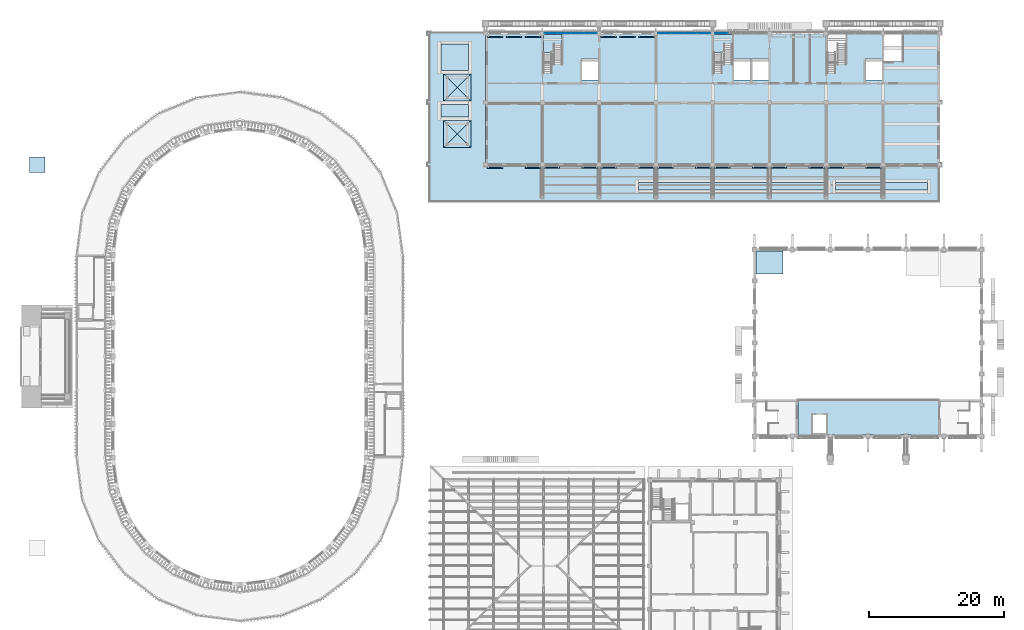
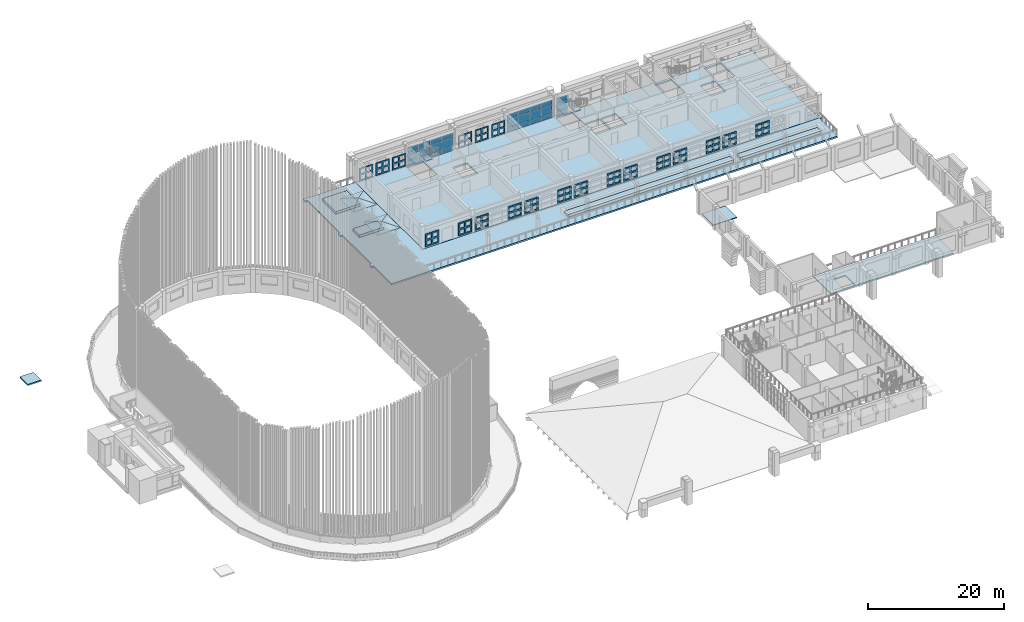
# One storey, part 19 of 68: 47 plates, 19 slabs, 5 elements without a shape of their own.
"""IFC4 building model written with IfcOpenShell, lengths in metres."""

from ifc_helpers import new_model, si_unit, direction, frame, origin, origin_2d, place, context, subcontext, project, spatial, polyline, rectangle, outline, extrude, material, layer, layer_set, material_profile, profile_set, type_object, element, aggregate, save


model = new_model("IFC4")

# Units and contexts
model_context = context("Model", 3, precision=1e-05, world=origin(), true_north=direction((0.0, 1.0)))
body_context = subcontext(model_context, "Body", "Model", "MODEL_VIEW")
ifc_project = project(units=[si_unit("LENGTHUNIT", "METRE"), si_unit("AREAUNIT", "SQUARE_METRE"), si_unit("VOLUMEUNIT", "CUBIC_METRE"), si_unit("PLANEANGLEUNIT", "RADIAN"), si_unit("MASSUNIT", "GRAM", prefix="KILO")], contexts=[model_context])

# Site, building, storey
site_placement = place(None, origin())
site = spatial("IfcSite", under=ifc_project, at=site_placement, CompositionType="ELEMENT")
building_placement = place(site_placement, origin())
building = spatial("IfcBuilding", under=site, at=building_placement, Name="Wasatch Bagh Community Centre", CompositionType="ELEMENT")
storey_placement = place(building_placement, frame((0.0, 0.0, 8.39990234375)))
storey = spatial("IfcBuildingStorey", under=building, at=storey_placement, Name="L02", CompositionType="ELEMENT", Elevation=8.39990234375)

# Slab
ifc_material_1 = material(Name="Concrete C35", Category="concrete")
ifc_layer_1 = layer(ifc_material_1, 0.25)
ifc_layer_set_1 = layer_set([ifc_layer_1], Name="Concrete C35")
slab_type_1 = type_object("IfcSlabType", Name="CT-S2", PredefinedType="ROOF", material=ifc_layer_set_1)
slab_1_placement = place(storey_placement, frame((0.0, 0.0, -0.25)))
element("IfcSlab", 1, at=slab_1_placement, inside=storey, type_object=slab_type_1, Name="LC2 shaft roof", PredefinedType="ROOF", context=body_context, shape_type="SweptSolid", body=[
    extrude(outline(polyline([(4.89990234375, 77.199951171875), (7.199951171875, 77.199951171875), (7.199951171875, 79.5), (4.89990234375, 79.5), (4.89990234375, 77.199951171875)])), origin(), (0.0, 0.0, 1.0), 0.25),
])

# Curtain wall, plates
ifc_material_2 = material(Name="Aluminium curtain wall frame with low-iron glass", Category="aluminium")
ifc_layer_2 = layer(ifc_material_2, 0.10009765625)
ifc_layer_set_2 = layer_set([ifc_layer_2], Name="Aluminium curtain wall frame with low-iron glass")
curtain_wall_type_1 = type_object("IfcCurtainWallType", Name="LW curtain wall 100", PredefinedType="NOTDEFINED", material=ifc_layer_set_2)
curtain_wall_1_placement = place(storey_placement, origin())
curtain_wall_1 = element("IfcCurtainWall", 2, at=curtain_wall_1_placement, inside=storey, type_object=curtain_wall_type_1, Name="Curtain wall 02.01", PredefinedType="NOTDEFINED")
ifc_material_3 = material(Name="Low-iron insulated glass", Category="glass")
ifc_layer_3 = layer(ifc_material_3, 0.028076171875)
ifc_layer_set_3 = layer_set([ifc_layer_3], Name="Low-iron insulated glass")
plate_type_1 = type_object("IfcPlateType", Name="LW curtain wall panel 28", PredefinedType="CURTAIN_PANEL", material=ifc_layer_set_3)
plate_1_placement = place(storey_placement, frame((82.090087890625, 97.800048828125, 0.06005859375), z_axis=(0.0, 0.0, 1.0), x_axis=(1.0, 0.0, 0.0)))
plate_1 = element("IfcPlate", 3, at=plate_1_placement, type_object=plate_type_1, Name="LW-CW1 panel 1.1", PredefinedType="CURTAIN_PANEL", context=body_context, shape_type="SweptSolid", body=[
    extrude(rectangle(XDim=1.860107421875, YDim=0.028076171875, at=origin_2d()), origin(), (0.0, 0.0, 1.0), 0.81005859375),
])
plate_2_placement = place(storey_placement, frame((82.090087890625, 97.800048828125, 0.93017578125), z_axis=(0.0, 0.0, 1.0), x_axis=(1.0, 0.0, 0.0)))
plate_2 = element("IfcPlate", 4, at=plate_2_placement, type_object=plate_type_1, Name="LW-CW1 panel 1.2", PredefinedType="CURTAIN_PANEL", context=body_context, shape_type="SweptSolid", body=[
    extrude(rectangle(XDim=1.860107421875, YDim=0.028076171875, at=origin_2d()), origin(), (0.0, 0.0, 1.0), 1.43994140625),
])
plate_3_placement = place(storey_placement, frame((82.090087890625, 97.800048828125, 2.43017578125), z_axis=(0.0, 0.0, 1.0), x_axis=(1.0, 0.0, 0.0)))
plate_3 = element("IfcPlate", 5, at=plate_3_placement, type_object=plate_type_1, Name="LW-CW1 panel 1.3", PredefinedType="CURTAIN_PANEL", context=body_context, shape_type="SweptSolid", body=[
    extrude(rectangle(XDim=1.860107421875, YDim=0.028076171875, at=origin_2d()), origin(), (0.0, 0.0, 1.0), 0.830078125),
])
plate_4_placement = place(storey_placement, frame((84.02490234375, 97.800048828125, 0.06005859375), z_axis=(0.0, 0.0, 1.0), x_axis=(1.0, 0.0, 0.0)))
plate_4 = element("IfcPlate", 6, at=plate_4_placement, type_object=plate_type_1, Name="LW-CW1 panel 2.1", PredefinedType="CURTAIN_PANEL", context=body_context, shape_type="SweptSolid", body=[
    extrude(rectangle(XDim=1.889892578125, YDim=0.028076171875, at=origin_2d()), origin(), (0.0, 0.0, 1.0), 0.81005859375),
])
plate_5_placement = place(storey_placement, frame((84.02490234375, 97.800048828125, 0.93017578125), z_axis=(0.0, 0.0, 1.0), x_axis=(1.0, 0.0, 0.0)))
plate_5 = element("IfcPlate", 7, at=plate_5_placement, type_object=plate_type_1, Name="LW-CW1 panel 2.2", PredefinedType="CURTAIN_PANEL", context=body_context, shape_type="SweptSolid", body=[
    extrude(rectangle(XDim=1.889892578125, YDim=0.028076171875, at=origin_2d()), origin(), (0.0, 0.0, 1.0), 1.43994140625),
])
plate_6_placement = place(storey_placement, frame((84.02490234375, 97.800048828125, 2.43017578125), z_axis=(0.0, 0.0, 1.0), x_axis=(1.0, 0.0, 0.0)))
plate_6 = element("IfcPlate", 8, at=plate_6_placement, type_object=plate_type_1, Name="LW-CW1 panel 2.3", PredefinedType="CURTAIN_PANEL", context=body_context, shape_type="SweptSolid", body=[
    extrude(rectangle(XDim=1.889892578125, YDim=0.028076171875, at=origin_2d()), origin(), (0.0, 0.0, 1.0), 0.830078125),
])
plate_7_placement = place(storey_placement, frame((85.97509765625, 97.800048828125, 0.06005859375), z_axis=(0.0, 0.0, 1.0), x_axis=(1.0, 0.0, 0.0)))
plate_7 = element("IfcPlate", 9, at=plate_7_placement, type_object=plate_type_1, Name="LW-CW1 panel 3.1", PredefinedType="CURTAIN_PANEL", context=body_context, shape_type="SweptSolid", body=[
    extrude(rectangle(XDim=1.889892578125, YDim=0.028076171875, at=origin_2d()), origin(), (0.0, 0.0, 1.0), 0.81005859375),
])
plate_8_placement = place(storey_placement, frame((85.97509765625, 97.800048828125, 0.93017578125), z_axis=(0.0, 0.0, 1.0), x_axis=(1.0, 0.0, 0.0)))
plate_8 = element("IfcPlate", 10, at=plate_8_placement, type_object=plate_type_1, Name="LW-CW1 panel 3.2", PredefinedType="CURTAIN_PANEL", context=body_context, shape_type="SweptSolid", body=[
    extrude(rectangle(XDim=1.889892578125, YDim=0.028076171875, at=origin_2d()), origin(), (0.0, 0.0, 1.0), 1.43994140625),
])
plate_9_placement = place(storey_placement, frame((85.97509765625, 97.800048828125, 2.43017578125), z_axis=(0.0, 0.0, 1.0), x_axis=(1.0, 0.0, 0.0)))
plate_9 = element("IfcPlate", 11, at=plate_9_placement, type_object=plate_type_1, Name="LW-CW1 panel 3.3", PredefinedType="CURTAIN_PANEL", context=body_context, shape_type="SweptSolid", body=[
    extrude(rectangle(XDim=1.889892578125, YDim=0.028076171875, at=origin_2d()), origin(), (0.0, 0.0, 1.0), 0.830078125),
])
plate_10_placement = place(storey_placement, frame((87.909912109375, 97.800048828125, 0.06005859375), z_axis=(0.0, 0.0, 1.0), x_axis=(1.0, 0.0, 0.0)))
plate_10 = element("IfcPlate", 12, at=plate_10_placement, type_object=plate_type_1, Name="LW-CW1 panel 4.1", PredefinedType="CURTAIN_PANEL", context=body_context, shape_type="SweptSolid", body=[
    extrude(rectangle(XDim=1.860107421875, YDim=0.028076171875, at=origin_2d()), origin(), (0.0, 0.0, 1.0), 0.81005859375),
])
plate_11_placement = place(storey_placement, frame((87.909912109375, 97.800048828125, 0.93017578125), z_axis=(0.0, 0.0, 1.0), x_axis=(1.0, 0.0, 0.0)))
plate_11 = element("IfcPlate", 13, at=plate_11_placement, type_object=plate_type_1, Name="LW-CW1 panel 4.2", PredefinedType="CURTAIN_PANEL", context=body_context, shape_type="SweptSolid", body=[
    extrude(rectangle(XDim=1.860107421875, YDim=0.028076171875, at=origin_2d()), origin(), (0.0, 0.0, 1.0), 1.43994140625),
])
plate_12_placement = place(storey_placement, frame((87.909912109375, 97.800048828125, 2.43017578125), z_axis=(0.0, 0.0, 1.0), x_axis=(1.0, 0.0, 0.0)))
plate_12 = element("IfcPlate", 14, at=plate_12_placement, type_object=plate_type_1, Name="LW-CW1 panel 4.3", PredefinedType="CURTAIN_PANEL", context=body_context, shape_type="SweptSolid", body=[
    extrude(rectangle(XDim=1.860107421875, YDim=0.028076171875, at=origin_2d()), origin(), (0.0, 0.0, 1.0), 0.830078125),
])
aggregate(curtain_wall_1, [plate_1, plate_2, plate_3, plate_4, plate_5, plate_6, plate_7, plate_8, plate_9, plate_10, plate_11, plate_12])

curtain_wall_2_placement = place(storey_placement, origin())
curtain_wall_2 = element("IfcCurtainWall", 15, at=curtain_wall_2_placement, inside=storey, type_object=curtain_wall_type_1, Name="Curtain wall 02.03", PredefinedType="NOTDEFINED")
plate_13_placement = place(storey_placement, frame((107.2900390625, 97.800048828125, 0.06005859375), z_axis=(0.0, 0.0, 1.0), x_axis=(1.0, 0.0, 0.0)))
plate_13 = element("IfcPlate", 16, at=plate_13_placement, type_object=plate_type_1, Name="LW-CW1 panel 1.1", PredefinedType="CURTAIN_PANEL", context=body_context, shape_type="SweptSolid", body=[
    extrude(rectangle(XDim=1.860107421875, YDim=0.028076171875, at=origin_2d()), origin(), (0.0, 0.0, 1.0), 0.81005859375),
])
plate_14_placement = place(storey_placement, frame((107.2900390625, 97.800048828125, 0.93017578125), z_axis=(0.0, 0.0, 1.0), x_axis=(1.0, 0.0, 0.0)))
plate_14 = element("IfcPlate", 17, at=plate_14_placement, type_object=plate_type_1, Name="LW-CW1 panel 1.2", PredefinedType="CURTAIN_PANEL", context=body_context, shape_type="SweptSolid", body=[
    extrude(rectangle(XDim=1.860107421875, YDim=0.028076171875, at=origin_2d()), origin(), (0.0, 0.0, 1.0), 1.43994140625),
])
plate_15_placement = place(storey_placement, frame((107.2900390625, 97.800048828125, 2.43017578125), z_axis=(0.0, 0.0, 1.0), x_axis=(1.0, 0.0, 0.0)))
plate_15 = element("IfcPlate", 18, at=plate_15_placement, type_object=plate_type_1, Name="LW-CW1 panel 1.3", PredefinedType="CURTAIN_PANEL", context=body_context, shape_type="SweptSolid", body=[
    extrude(rectangle(XDim=1.860107421875, YDim=0.028076171875, at=origin_2d()), origin(), (0.0, 0.0, 1.0), 0.830078125),
])
aggregate(curtain_wall_2, [plate_13, plate_14, plate_15])

ifc_layer_4 = layer(ifc_material_2, 0.1201171875)
ifc_layer_set_4 = layer_set([ifc_layer_4], Name="Aluminium curtain wall frame with low-iron glass")
curtain_wall_type_2 = type_object("IfcCurtainWallType", Name="LW study front curtain wall 120", PredefinedType="NOTDEFINED", material=ifc_layer_set_4)
curtain_wall_3_placement = place(storey_placement, origin())
curtain_wall_3 = element("IfcCurtainWall", 19, at=curtain_wall_3_placement, inside=storey, type_object=curtain_wall_type_2, Name="Curtain wall 02.02", PredefinedType="NOTDEFINED")
ifc_layer_5 = layer(ifc_material_3, 0.028076171875)
ifc_layer_set_5 = layer_set([ifc_layer_5], Name="Low-iron insulated glass")
plate_type_2 = type_object("IfcPlateType", Name="LW curtain wall panel 28 LW-CW2", PredefinedType="CURTAIN_PANEL", material=ifc_layer_set_5)
plate_16_placement = place(storey_placement, frame((98.889892578125, 97.800048828125, 0.06005859375), z_axis=(0.0, 0.0, 1.0), x_axis=(1.0, 0.0, 0.0)))
plate_16 = element("IfcPlate", 20, at=plate_16_placement, type_object=plate_type_2, Name="LW-CW2 panel 1.1", PredefinedType="CURTAIN_PANEL", context=body_context, shape_type="SweptSolid", body=[
    extrude(rectangle(XDim=1.860107421875, YDim=0.028076171875, at=origin_2d()), origin(), (0.0, 0.0, 1.0), 0.81005859375),
])
plate_17_placement = place(storey_placement, frame((98.889892578125, 97.800048828125, 0.93017578125), z_axis=(0.0, 0.0, 1.0), x_axis=(1.0, 0.0, 0.0)))
plate_17 = element("IfcPlate", 21, at=plate_17_placement, type_object=plate_type_2, Name="LW-CW2 panel 1.2", PredefinedType="CURTAIN_PANEL", context=body_context, shape_type="SweptSolid", body=[
    extrude(rectangle(XDim=1.860107421875, YDim=0.028076171875, at=origin_2d()), origin(), (0.0, 0.0, 1.0), 1.43994140625),
])
plate_18_placement = place(storey_placement, frame((98.889892578125, 97.800048828125, 2.43017578125), z_axis=(0.0, 0.0, 1.0), x_axis=(1.0, 0.0, 0.0)))
plate_18 = element("IfcPlate", 22, at=plate_18_placement, type_object=plate_type_2, Name="LW-CW2 panel 1.3", PredefinedType="CURTAIN_PANEL", context=body_context, shape_type="SweptSolid", body=[
    extrude(rectangle(XDim=1.860107421875, YDim=0.028076171875, at=origin_2d()), origin(), (0.0, 0.0, 1.0), 0.830078125),
])
plate_19_placement = place(storey_placement, frame((100.824951171875, 97.800048828125, 0.06005859375), z_axis=(0.0, 0.0, 1.0), x_axis=(1.0, 0.0, 0.0)))
plate_19 = element("IfcPlate", 23, at=plate_19_placement, type_object=plate_type_2, Name="LW-CW2 panel 2.1", PredefinedType="CURTAIN_PANEL", context=body_context, shape_type="SweptSolid", body=[
    extrude(rectangle(XDim=1.889892578125, YDim=0.028076171875, at=origin_2d()), origin(), (0.0, 0.0, 1.0), 0.81005859375),
])
plate_20_placement = place(storey_placement, frame((100.824951171875, 97.800048828125, 0.93017578125), z_axis=(0.0, 0.0, 1.0), x_axis=(1.0, 0.0, 0.0)))
plate_20 = element("IfcPlate", 24, at=plate_20_placement, type_object=plate_type_2, Name="LW-CW2 panel 2.2", PredefinedType="CURTAIN_PANEL", context=body_context, shape_type="SweptSolid", body=[
    extrude(rectangle(XDim=1.889892578125, YDim=0.028076171875, at=origin_2d()), origin(), (0.0, 0.0, 1.0), 1.43994140625),
])
plate_21_placement = place(storey_placement, frame((100.824951171875, 97.800048828125, 2.43017578125), z_axis=(0.0, 0.0, 1.0), x_axis=(1.0, 0.0, 0.0)))
plate_21 = element("IfcPlate", 25, at=plate_21_placement, type_object=plate_type_2, Name="LW-CW2 panel 2.3", PredefinedType="CURTAIN_PANEL", context=body_context, shape_type="SweptSolid", body=[
    extrude(rectangle(XDim=1.889892578125, YDim=0.028076171875, at=origin_2d()), origin(), (0.0, 0.0, 1.0), 0.830078125),
])
plate_22_placement = place(storey_placement, frame((102.77490234375, 97.800048828125, 0.06005859375), z_axis=(0.0, 0.0, 1.0), x_axis=(1.0, 0.0, 0.0)))
plate_22 = element("IfcPlate", 26, at=plate_22_placement, type_object=plate_type_2, Name="LW-CW2 panel 3.1", PredefinedType="CURTAIN_PANEL", context=body_context, shape_type="SweptSolid", body=[
    extrude(rectangle(XDim=1.889892578125, YDim=0.028076171875, at=origin_2d()), origin(), (0.0, 0.0, 1.0), 0.81005859375),
])
plate_23_placement = place(storey_placement, frame((102.77490234375, 97.800048828125, 0.93017578125), z_axis=(0.0, 0.0, 1.0), x_axis=(1.0, 0.0, 0.0)))
plate_23 = element("IfcPlate", 27, at=plate_23_placement, type_object=plate_type_2, Name="LW-CW2 panel 3.2", PredefinedType="CURTAIN_PANEL", context=body_context, shape_type="SweptSolid", body=[
    extrude(rectangle(XDim=1.889892578125, YDim=0.028076171875, at=origin_2d()), origin(), (0.0, 0.0, 1.0), 1.43994140625),
])
plate_24_placement = place(storey_placement, frame((102.77490234375, 97.800048828125, 2.43017578125), z_axis=(0.0, 0.0, 1.0), x_axis=(1.0, 0.0, 0.0)))
plate_24 = element("IfcPlate", 28, at=plate_24_placement, type_object=plate_type_2, Name="LW-CW2 panel 3.3", PredefinedType="CURTAIN_PANEL", context=body_context, shape_type="SweptSolid", body=[
    extrude(rectangle(XDim=1.889892578125, YDim=0.028076171875, at=origin_2d()), origin(), (0.0, 0.0, 1.0), 0.830078125),
])
plate_25_placement = place(storey_placement, frame((104.7099609375, 97.800048828125, 0.06005859375), z_axis=(0.0, 0.0, 1.0), x_axis=(1.0, 0.0, 0.0)))
plate_25 = element("IfcPlate", 29, at=plate_25_placement, type_object=plate_type_2, Name="LW-CW2 panel 4.1", PredefinedType="CURTAIN_PANEL", context=body_context, shape_type="SweptSolid", body=[
    extrude(rectangle(XDim=1.860107421875, YDim=0.028076171875, at=origin_2d()), origin(), (0.0, 0.0, 1.0), 0.81005859375),
])
plate_26_placement = place(storey_placement, frame((104.7099609375, 97.800048828125, 0.93017578125), z_axis=(0.0, 0.0, 1.0), x_axis=(1.0, 0.0, 0.0)))
plate_26 = element("IfcPlate", 30, at=plate_26_placement, type_object=plate_type_2, Name="LW-CW2 panel 4.2", PredefinedType="CURTAIN_PANEL", context=body_context, shape_type="SweptSolid", body=[
    extrude(rectangle(XDim=1.860107421875, YDim=0.028076171875, at=origin_2d()), origin(), (0.0, 0.0, 1.0), 1.43994140625),
])
plate_27_placement = place(storey_placement, frame((104.7099609375, 97.800048828125, 2.43017578125), z_axis=(0.0, 0.0, 1.0), x_axis=(1.0, 0.0, 0.0)))
plate_27 = element("IfcPlate", 31, at=plate_27_placement, type_object=plate_type_2, Name="LW-CW2 panel 4.3", PredefinedType="CURTAIN_PANEL", context=body_context, shape_type="SweptSolid", body=[
    extrude(rectangle(XDim=1.860107421875, YDim=0.028076171875, at=origin_2d()), origin(), (0.0, 0.0, 1.0), 0.830078125),
])
aggregate(curtain_wall_3, [plate_16, plate_17, plate_18, plate_19, plate_20, plate_21, plate_22, plate_23, plate_24, plate_25, plate_26, plate_27])

# Slab
ifc_layer_6 = layer(ifc_material_1, 0.280029296875)
ifc_layer_set_6 = layer_set([ifc_layer_6], Name="Concrete C35")
slab_type_2 = type_object("IfcSlabType", Name="LW floor slab 280", PredefinedType="FLOOR", material=ifc_layer_set_6)
slab_2_placement = place(storey_placement, frame((0.0, 0.0, -0.27978515625)))
element("IfcSlab", 32, at=slab_2_placement, inside=storey, type_object=slab_type_2, Name="LW.slab.L02.03", PredefinedType="FLOOR", context=body_context, shape_type="SweptSolid", body=[
    extrude(outline(polyline([(139.949951171875, 78.050048828125), (139.60009765625, 78.050048828125), (139.60009765625, 78.199951171875), (72.39990234375, 78.199951171875), (72.39990234375, 98.0), (72.050048828125, 98.0), (72.050048828125, 98.14990234375), (72.75, 98.14990234375), (72.75, 98.0), (80.449951171875, 98.0), (80.449951171875, 98.14990234375), (81.14990234375, 98.14990234375), (81.14990234375, 98.0), (88.85009765625, 98.0), (88.85009765625, 98.14990234375), (89.550048828125, 98.14990234375), (89.550048828125, 98.0), (97.25, 98.0), (97.25, 98.14990234375), (97.949951171875, 98.14990234375), (97.949951171875, 98.0), (105.64990234375, 98.0), (105.64990234375, 98.14990234375), (106.35009765625, 98.14990234375), (106.35009765625, 98.0), (114.050048828125, 98.0), (114.050048828125, 98.14990234375), (114.75, 98.14990234375), (114.75, 98.0), (122.449951171875, 98.0), (122.449951171875, 98.14990234375), (123.14990234375, 98.14990234375), (123.14990234375, 98.0), (130.85009765625, 98.0), (130.85009765625, 98.14990234375), (131.550048828125, 98.14990234375), (131.550048828125, 98.0), (139.25, 98.0), (139.25, 98.14990234375), (139.949951171875, 98.14990234375), (139.949951171875, 97.449951171875), (139.60009765625, 97.449951171875), (139.60009765625, 87.949951171875), (139.949951171875, 87.949951171875), (139.949951171875, 87.25), (139.60009765625, 87.25), (139.60009765625, 78.75), (139.949951171875, 78.75), (139.949951171875, 78.050048828125)]), holes=[polyline([(89.074951171875, 94.074951171875), (89.074951171875, 90.925048828125), (86.625, 90.925048828125), (86.625, 94.074951171875), (89.074951171875, 94.074951171875)]), polyline([(111.574951171875, 94.074951171875), (111.574951171875, 90.925048828125), (109.125, 90.925048828125), (109.125, 94.074951171875), (111.574951171875, 94.074951171875)]), polyline([(114.27490234375, 94.074951171875), (114.27490234375, 90.925048828125), (111.824951171875, 90.925048828125), (111.824951171875, 94.074951171875), (114.27490234375, 94.074951171875)]), polyline([(131.074951171875, 94.074951171875), (131.074951171875, 90.925048828125), (128.625, 90.925048828125), (128.625, 94.074951171875), (131.074951171875, 94.074951171875)]), polyline([(83.72509765625, 97.60009765625), (83.72509765625, 93.6201171875), (80.925048828125, 93.6201171875), (80.925048828125, 97.60009765625), (83.72509765625, 97.60009765625)]), polyline([(108.925048828125, 97.60009765625), (108.925048828125, 93.6201171875), (106.125, 93.6201171875), (106.125, 97.60009765625), (108.925048828125, 97.60009765625)]), polyline([(125.72509765625, 97.60009765625), (125.72509765625, 93.6201171875), (122.925048828125, 93.6201171875), (122.925048828125, 97.60009765625), (125.72509765625, 97.60009765625)]), polyline([(134.125, 97.60009765625), (134.125, 93.6201171875), (131.324951171875, 93.6201171875), (131.324951171875, 97.60009765625), (134.125, 97.60009765625)])]), origin(), (0.0, 0.0, 1.0), 0.27978515625),
])

# Plates
ifc_material_4 = material(Name="Precast concrete C40/50", Category="concrete")
ifc_material_profile = material_profile(ifc_material_4, outline(polyline([(-1.159912109375, -1.159912109375), (1.159912109375, -1.159912109375), (1.159912109375, 1.159912109375), (-1.159912109375, 1.159912109375), (-1.159912109375, -1.159912109375)]), holes=[polyline([(-0.919921875, -0.919921875), (-0.14990234375, -0.919921875), (-0.14990234375, -0.14990234375), (-0.919921875, -0.14990234375), (-0.919921875, -0.919921875)]), polyline([(-0.919921875, 0.14990234375), (-0.14990234375, 0.14990234375), (-0.14990234375, 0.919921875), (-0.919921875, 0.919921875), (-0.919921875, 0.14990234375)]), polyline([(0.14990234375, -0.919921875), (0.919921875, -0.919921875), (0.919921875, -0.14990234375), (0.14990234375, -0.14990234375), (0.14990234375, -0.919921875)]), polyline([(0.14990234375, 0.14990234375), (0.919921875, 0.14990234375), (0.919921875, 0.919921875), (0.14990234375, 0.919921875), (0.14990234375, 0.14990234375)])]), Name="Jali lattice")
ifc_profile_set = profile_set([ifc_material_profile], Name="Precast concrete C40/50")
plate_type_3 = type_object("IfcPlateType", Name="LW jali panel 2320x2320", PredefinedType="SHEET", material=ifc_profile_set)
for number, where, z_axis, x_axis, name in (
    (33, (73.800048828125, 77.89990234375, 1.66015625), (0.0, -1.0, 0.0), (1.0, 0.0, 0.0), "Jali panel"),
    (34, (79.39990234375, 77.89990234375, 1.66015625), (0.0, -1.0, 0.0), (1.0, 0.0, 0.0), "Jali panel"),
    (35, (82.199951171875, 77.89990234375, 1.66015625), (0.0, -1.0, 0.0), (1.0, 0.0, 0.0), "Jali panel"),
    (36, (87.800048828125, 77.89990234375, 1.66015625), (0.0, -1.0, 0.0), (1.0, 0.0, 0.0), "Jali panel"),
    (37, (90.60009765625, 77.89990234375, 1.66015625), (0.0, -1.0, 0.0), (1.0, 0.0, 0.0), "Jali panel"),
    (38, (96.199951171875, 77.89990234375, 1.66015625), (0.0, -1.0, 0.0), (1.0, 0.0, 0.0), "Jali panel"),
    (39, (99.0, 77.89990234375, 1.66015625), (0.0, -1.0, 0.0), (1.0, 0.0, 0.0), "Jali panel"),
    (40, (104.60009765625, 77.89990234375, 1.66015625), (0.0, -1.0, 0.0), (1.0, 0.0, 0.0), "Jali panel"),
    (41, (107.39990234375, 77.89990234375, 1.66015625), (0.0, -1.0, 0.0), (1.0, 0.0, 0.0), "Jali panel"),
    (42, (113.0, 77.89990234375, 1.66015625), (0.0, -1.0, 0.0), (1.0, 0.0, 0.0), "Jali panel"),
    (43, (115.800048828125, 77.89990234375, 1.66015625), (0.0, -1.0, 0.0), (1.0, 0.0, 0.0), "Jali panel"),
    (44, (121.39990234375, 77.89990234375, 1.66015625), (0.0, -1.0, 0.0), (1.0, 0.0, 0.0), "Jali panel"),
    (45, (124.199951171875, 77.89990234375, 1.66015625), (0.0, -1.0, 0.0), (1.0, 0.0, 0.0), "Jali panel"),
    (46, (129.800048828125, 77.89990234375, 1.66015625), (0.0, -1.0, 0.0), (1.0, 0.0, 0.0), "Jali panel"),
):
    element("IfcPlate", number, at=place(storey_placement, frame(where, z_axis=z_axis, x_axis=x_axis)), inside=storey, type_object=plate_type_3, Name=name, PredefinedType="SHEET", context=body_context, shape_type="SweptSolid", body=[
        extrude(outline(polyline([(-1.159912109375, -1.159912109375), (1.159912109375, -1.159912109375), (1.159912109375, 1.159912109375), (-1.159912109375, 1.159912109375), (-1.159912109375, -1.159912109375)]), holes=[polyline([(-0.919921875, -0.919921875), (-0.14990234375, -0.919921875), (-0.14990234375, -0.14990234375), (-0.919921875, -0.14990234375), (-0.919921875, -0.919921875)]), polyline([(-0.919921875, 0.14990234375), (-0.14990234375, 0.14990234375), (-0.14990234375, 0.919921875), (-0.919921875, 0.919921875), (-0.919921875, 0.14990234375)]), polyline([(0.14990234375, -0.919921875), (0.919921875, -0.919921875), (0.919921875, -0.14990234375), (0.14990234375, -0.14990234375), (0.14990234375, -0.919921875)]), polyline([(0.14990234375, 0.14990234375), (0.919921875, 0.14990234375), (0.919921875, 0.919921875), (0.14990234375, 0.919921875), (0.14990234375, 0.14990234375)])]), origin(), (0.0, 0.0, 1.0), 0.06982421875),
    ])
for number, where, z_axis, x_axis, name in (
    (47, (73.800048828125, 97.300048828125, 1.66015625), (0.0, -1.0, 0.0), (1.0, 0.0, 0.0), "Jali panel"),
    (48, (76.60009765625, 97.300048828125, 1.66015625), (0.0, -1.0, 0.0), (1.0, 0.0, 0.0), "Jali panel"),
    (49, (79.39990234375, 97.300048828125, 1.66015625), (0.0, -1.0, 0.0), (1.0, 0.0, 0.0), "Jali panel"),
    (50, (90.60009765625, 97.300048828125, 1.66015625), (0.0, -1.0, 0.0), (1.0, 0.0, 0.0), "Jali panel"),
    (51, (93.39990234375, 97.300048828125, 1.66015625), (0.0, -1.0, 0.0), (1.0, 0.0, 0.0), "Jali panel"),
    (52, (96.199951171875, 97.300048828125, 1.66015625), (0.0, -1.0, 0.0), (1.0, 0.0, 0.0), "Jali panel"),
):
    element("IfcPlate", number, at=place(storey_placement, frame(where, z_axis=z_axis, x_axis=x_axis)), inside=storey, type_object=plate_type_3, Name=name, PredefinedType="SHEET", context=body_context, shape_type="SweptSolid", body=[
        extrude(outline(polyline([(-1.159912109375, -1.159912109375), (1.159912109375, -1.159912109375), (1.159912109375, 1.159912109375), (-1.159912109375, 1.159912109375), (-1.159912109375, -1.159912109375)]), holes=[polyline([(-0.919921875, -0.919921875), (-0.14990234375, -0.919921875), (-0.14990234375, -0.14990234375), (-0.919921875, -0.14990234375), (-0.919921875, -0.919921875)]), polyline([(-0.919921875, 0.14990234375), (-0.14990234375, 0.14990234375), (-0.14990234375, 0.919921875), (-0.919921875, 0.919921875), (-0.919921875, 0.14990234375)]), polyline([(0.14990234375, -0.919921875), (0.919921875, -0.919921875), (0.919921875, -0.14990234375), (0.14990234375, -0.14990234375), (0.14990234375, -0.919921875)]), polyline([(0.14990234375, 0.14990234375), (0.919921875, 0.14990234375), (0.919921875, 0.919921875), (0.14990234375, 0.919921875), (0.14990234375, 0.14990234375)])]), origin(), (0.0, 0.0, 1.0), 0.070068359375),
    ])

# Slabs
ifc_layer_7 = layer(ifc_material_1, 0.14990234375)
ifc_layer_set_7 = layer_set([ifc_layer_7], Name="Concrete C35")
slab_type_3 = type_object("IfcSlabType", Name="LW pavilion roof 150", PredefinedType="ROOF", material=ifc_layer_set_7)
for number, where, z_axis, x_axis, name in (
    (53, (66.199951171875, 80.89990234375, 3.0), (0.0, -0.287390791914, 0.957813412269), (1.0, 0.0, 0.0), "Shade pavilion 1 roof"),
    (54, (70.199951171875, 80.89990234375, 3.0), (0.287390791914, 0.0, 0.957813412269), (0.0, 1.0, 0.0), "Shade pavilion 1 roof"),
    (55, (70.199951171875, 84.89990234375, 3.0), (0.0, 0.287390791914, 0.957813412269), (-1.0, 0.0, 0.0), "Shade pavilion 1 roof"),
    (56, (66.199951171875, 84.89990234375, 3.0), (-0.287390791914, 0.0, 0.957813412269), (0.0, -1.0, 0.0), "Shade pavilion 1 roof"),
    (57, (66.199951171875, 87.800048828125, 3.0), (0.0, -0.287390791914, 0.957813412269), (1.0, 0.0, 0.0), "Shade pavilion 2 roof"),
    (58, (70.199951171875, 87.800048828125, 3.0), (0.287390791914, 0.0, 0.957813412269), (0.0, 1.0, 0.0), "Shade pavilion 2 roof"),
    (59, (70.199951171875, 91.800048828125, 3.0), (0.0, 0.287390791914, 0.957813412269), (-1.0, 0.0, 0.0), "Shade pavilion 2 roof"),
    (60, (66.199951171875, 91.800048828125, 3.0), (-0.287390791914, 0.0, 0.957813412269), (0.0, -1.0, 0.0), "Shade pavilion 2 roof"),
):
    element("IfcSlab", number, at=place(storey_placement, frame(where, z_axis=z_axis, x_axis=x_axis)), inside=storey, type_object=slab_type_3, Name=name, PredefinedType="ROOF", context=body_context, shape_type="SweptSolid", body=[
        extrude(outline(polyline([(0.0, 0.0), (4.0, 0.0), (2.0, 2.0880893651941106), (0.0, 0.0)])), origin(), (0.0, 0.0, -1.0), 0.14990234375),
    ])
ifc_material_5 = material(Name="Planting soil over Concrete C30", Category="concrete")
ifc_layer_8 = layer(ifc_material_5, 0.449951171875)
ifc_layer_set_8 = layer_set([ifc_layer_8], Name="Planting soil over Concrete C30")
slab_type_4 = type_object("IfcSlabType", Name="LW planting bed 450", PredefinedType="FLOOR", material=ifc_layer_set_8)
slab_3_placement = place(storey_placement, origin())
element("IfcSlab", 61, at=slab_3_placement, inside=storey, type_object=slab_type_4, Name="Planting bed T2 (groundcover and shrubs)", PredefinedType="FLOOR", context=body_context, shape_type="SweptSolid", body=[
    extrude(outline(polyline([(95.0, 74.60009765625), (123.0, 74.60009765625), (123.0, 75.699951171875), (95.0, 75.699951171875), (95.0, 74.60009765625)])), origin(), (0.0, 0.0, 1.0), 0.4501953125),
])
slab_4_placement = place(storey_placement, origin())
element("IfcSlab", 62, at=slab_4_placement, inside=storey, type_object=slab_type_4, Name="Planting bed T2 (groundcover and shrubs)", PredefinedType="FLOOR", context=body_context, shape_type="SweptSolid", body=[
    extrude(outline(polyline([(124.199951171875, 74.60009765625), (137.800048828125, 74.60009765625), (137.800048828125, 75.699951171875), (124.199951171875, 75.699951171875), (124.199951171875, 74.60009765625)])), origin(), (0.0, 0.0, 1.0), 0.4501953125),
])
slab_5_placement = place(storey_placement, origin())
element("IfcSlab", 63, at=slab_5_placement, inside=storey, type_object=slab_type_4, Name="Planting bed T2 (groundcover and shrubs)", PredefinedType="FLOOR", context=body_context, shape_type="SweptSolid", body=[
    extrude(outline(polyline([(65.800048828125, 92.300048828125), (69.89990234375, 92.300048828125), (69.89990234375, 96.199951171875), (65.800048828125, 96.199951171875), (65.800048828125, 92.300048828125)])), origin(), (0.0, 0.0, 1.0), 0.4501953125),
])
slab_6_placement = place(storey_placement, origin())
element("IfcSlab", 64, at=slab_6_placement, inside=storey, type_object=slab_type_4, Name="Planting bed T2 (groundcover and shrubs)", PredefinedType="FLOOR", context=body_context, shape_type="SweptSolid", body=[
    extrude(outline(polyline([(65.800048828125, 85.39990234375), (69.89990234375, 85.39990234375), (69.89990234375, 87.300048828125), (65.800048828125, 87.300048828125), (65.800048828125, 85.39990234375)])), origin(), (0.0, 0.0, 1.0), 0.4501953125),
])

# Stair, slab
stair_type = type_object("IfcStairType", Name="LW core stair", PredefinedType="HALF_TURN_STAIR", material=ifc_material_1)
stair_1_placement = place(storey_placement, origin())
stair_1 = element("IfcStair", 65, at=stair_1_placement, inside=storey, type_object=stair_type, Name="Stair Stair and Lift C1", PredefinedType="HALF_TURN_STAIR")
ifc_layer_9 = layer(ifc_material_1, 0.199951171875)
ifc_layer_set_9 = layer_set([ifc_layer_9], Name="Concrete C35")
slab_type_5 = type_object("IfcSlabType", Name="LW stair landing 200", PredefinedType="LANDING", material=ifc_layer_set_9)
slab_7_placement = place(storey_placement, frame((0.0, 0.0, 1.900146484375)))
slab_7 = element("IfcSlab", 66, at=slab_7_placement, type_object=slab_type_5, Name="ST-C1-2 landing 1", PredefinedType="LANDING", context=body_context, shape_type="SweptSolid", body=[
    extrude(outline(polyline([(80.925048828125, 94.9599609375), (83.735107421875, 94.9599609375), (83.735107421875, 97.60009765625), (80.925048828125, 97.60009765625), (80.925048828125, 94.9599609375)])), origin(), (0.0, 0.0, 1.0), 0.199951171875),
])
aggregate(stair_1, [slab_7])

stair_2_placement = place(storey_placement, origin())
stair_2 = element("IfcStair", 67, at=stair_2_placement, inside=storey, type_object=stair_type, Name="Stair Stair and Lift C2", PredefinedType="HALF_TURN_STAIR")
slab_8_placement = place(storey_placement, frame((0.0, 0.0, 1.900146484375)))
slab_8 = element("IfcSlab", 68, at=slab_8_placement, type_object=slab_type_5, Name="ST-C2-2 landing 1", PredefinedType="LANDING", context=body_context, shape_type="SweptSolid", body=[
    extrude(outline(polyline([(106.125, 94.9599609375), (108.93505859375, 94.9599609375), (108.93505859375, 97.60009765625), (106.125, 97.60009765625), (106.125, 94.9599609375)])), origin(), (0.0, 0.0, 1.0), 0.199951171875),
])
aggregate(stair_2, [slab_8])

# Slabs
ifc_layer_10 = layer(ifc_material_1, 0.280029296875)
ifc_layer_set_10 = layer_set([ifc_layer_10], Name="Concrete C35")
slab_type_6 = type_object("IfcSlabType", Name="LW terrace slab 280", PredefinedType="FLOOR", material=ifc_layer_set_10)
slab_9_placement = place(storey_placement, frame((0.0, 0.0, -0.27978515625)))
element("IfcSlab", 69, at=slab_9_placement, inside=storey, type_object=slab_type_6, Name="LW.slab.L02.04", PredefinedType="FLOOR", context=body_context, shape_type="SweptSolid", body=[
    extrude(outline(polyline([(64.0, 78.75), (64.0, 87.25), (63.64990234375, 87.25), (63.64990234375, 87.949951171875), (64.0, 87.949951171875), (64.0, 97.449951171875), (63.64990234375, 97.449951171875), (63.64990234375, 98.14990234375), (64.35009765625, 98.14990234375), (64.35009765625, 98.0), (72.050048828125, 98.0), (72.39990234375, 98.0), (72.39990234375, 78.199951171875), (139.60009765625, 78.199951171875), (139.60009765625, 78.050048828125), (139.60009765625, 72.800048828125), (64.0, 72.800048828125), (64.0, 78.050048828125), (63.64990234375, 78.050048828125), (63.64990234375, 78.75), (64.0, 78.75)])), origin(), (0.0, 0.0, 1.0), 0.27978515625),
])
ifc_layer_11 = layer(ifc_material_1, 0.1298828125)
ifc_layer_set_11 = layer_set([ifc_layer_11], Name="Concrete C35")
slab_type_7 = type_object("IfcSlabType", Name="SH ceiling slab slab 130", PredefinedType="FLOOR", material=ifc_layer_set_11)
slab_10_placement = place(storey_placement, frame((0.0, 0.0, -0.1298828125)))
element("IfcSlab", 70, at=slab_10_placement, inside=storey, type_object=slab_type_7, Name="SH.slab.L02.vest", PredefinedType="FLOOR", context=body_context, shape_type="SweptSolid", body=[
    extrude(outline(polyline([(112.39990234375, 62.199951171875), (116.39990234375, 62.199951171875), (116.39990234375, 65.60009765625), (112.39990234375, 65.60009765625), (112.39990234375, 62.199951171875)])), origin(), (0.0, 0.0, 1.0), 0.1298828125),
])
ifc_layer_12 = layer(ifc_material_1, 0.219970703125)
ifc_layer_set_12 = layer_set([ifc_layer_12], Name="Concrete C35")
slab_type_8 = type_object("IfcSlabType", Name="SH gallery floor slab 220", PredefinedType="FLOOR", material=ifc_layer_set_12)
slab_11_placement = place(storey_placement, frame((0.0, 0.0, -0.219970703125)))
element("IfcSlab", 71, at=slab_11_placement, inside=storey, type_object=slab_type_8, Name="SH.slab.L02.gallery", PredefinedType="FLOOR", context=body_context, shape_type="SweptSolid", body=[
    extrude(outline(polyline([(118.60009765625, 38.39990234375), (139.39990234375, 38.39990234375), (139.39990234375, 43.625), (118.60009765625, 43.625), (118.60009765625, 38.39990234375)]), holes=[polyline([(120.800048828125, 38.60009765625), (122.800048828125, 38.60009765625), (122.800048828125, 41.39990234375), (120.800048828125, 41.39990234375), (120.800048828125, 38.60009765625)])]), origin(), (0.0, 0.0, 1.0), 0.219970703125),
])

save(model, "model.ifc")
